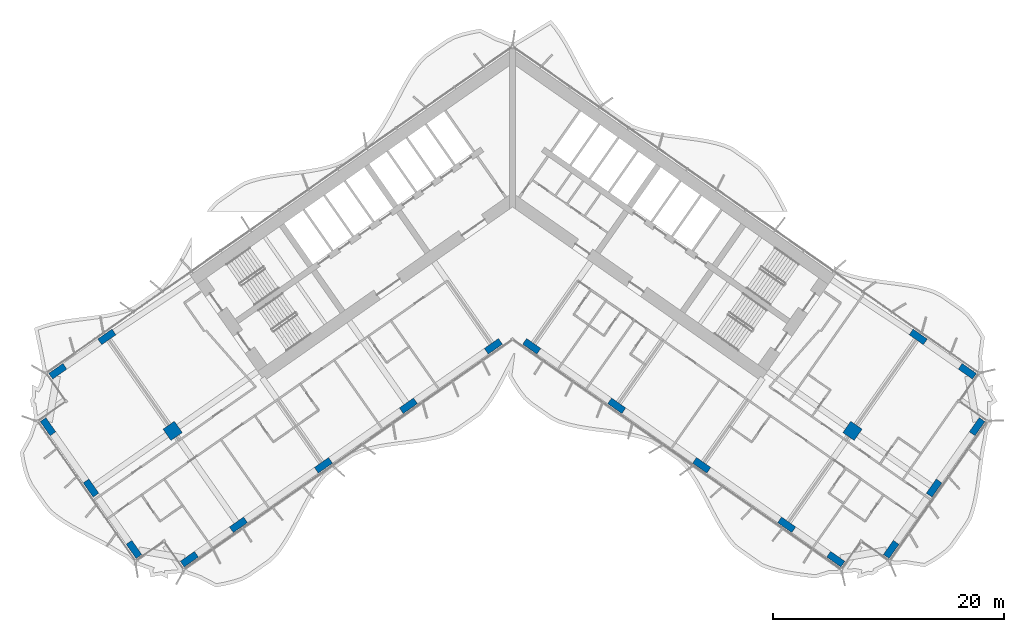
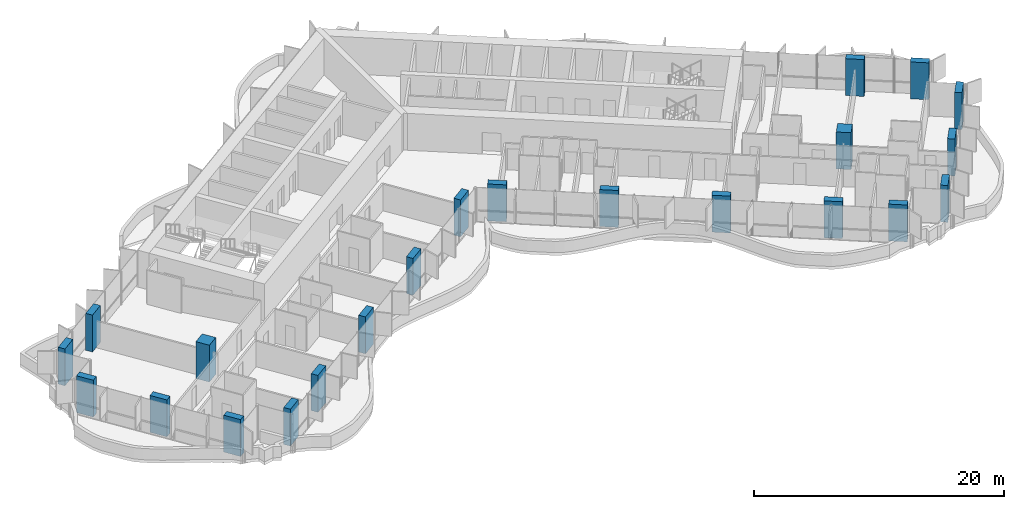
# One storey, part 1 of 23: 22 columns.
"""IFC4 building model written with IfcOpenShell, lengths in metres."""

from ifc_helpers import new_model, si_unit, direction, frame, origin, origin_2d, place, context, subcontext, project, spatial, rectangle, extrude, material, material_profile, profile_set, type_object, element, save


model = new_model("IFC4")

# Units and contexts
model_context = context("Model", 3, precision=1e-05, world=origin(), true_north=direction((0.0, 1.0)))
body_context = subcontext(model_context, "Body", "Model", "MODEL_VIEW")
ifc_project = project(units=[si_unit("LENGTHUNIT", "METRE"), si_unit("AREAUNIT", "SQUARE_METRE"), si_unit("VOLUMEUNIT", "CUBIC_METRE"), si_unit("PLANEANGLEUNIT", "RADIAN"), si_unit("MASSUNIT", "GRAM", prefix="KILO")], contexts=[model_context])

# Site, building, storey
site_placement = place(None, origin())
site = spatial("IfcSite", under=ifc_project, at=site_placement, CompositionType="ELEMENT")
building_placement = place(site_placement, origin())
building = spatial("IfcBuilding", under=site, at=building_placement, Name="Tel Ilan Convention Tower", CompositionType="ELEMENT")
storey_placement = place(building_placement, frame((0.0, 0.0, 112.10009765625)))
storey = spatial("IfcBuildingStorey", under=building, at=storey_placement, Name="L24", CompositionType="ELEMENT", Elevation=112.10009765625)

# Columns
ifc_material_1 = material(Name="Concrete C60/75", Category="concrete")
ifc_material_profile_1 = material_profile(ifc_material_1, rectangle(XDim=1.199951171875, YDim=1.199951171875, at=origin_2d()), Name="RC 1200x1200")
ifc_profile_set_1 = profile_set([ifc_material_profile_1], Name="Concrete C60/75")
column_type_1 = type_object("IfcColumnType", Name="Column RC 1200x1200 C60/75", PredefinedType="COLUMN", material=ifc_profile_set_1)
for number, where, z_axis, x_axis, name in (
    (1, (-29.489501953125, -20.648681640625, 0.0), (0.0, 0.0, 1.0), (-0.819152044289, -0.573576436351, 0.0), "L24 column W-M4"),
    (2, (29.489501953125, -20.648681640625, 0.0), (0.0, 0.0, 1.0), (0.819152044289, -0.573576436351, 0.0), "L24 column E-M4"),
):
    element("IfcColumn", number, at=place(storey_placement, frame(where, z_axis=z_axis, x_axis=x_axis)), inside=storey, type_object=column_type_1, Name=name, PredefinedType="COLUMN", context=body_context, shape_type="SweptSolid", body=[
        extrude(rectangle(XDim=1.199951171875, YDim=1.199951171875, at=origin_2d()), origin(), (0.0, 0.0, 1.0), 3.599853515625),
    ])
ifc_material_2 = material(Name="Concrete C60/75", Category="concrete")
ifc_material_profile_2 = material_profile(ifc_material_2, rectangle(XDim=1.5, YDim=0.60009765625, at=origin_2d()), Name="RC 600x1500")
ifc_profile_set_2 = profile_set([ifc_material_profile_2], Name="Concrete C60/75")
column_type_2 = type_object("IfcColumnType", Name="Column RC 600x1500 C60/75", PredefinedType="COLUMN", material=ifc_profile_set_2)
for number, where, z_axis, x_axis, name in (
    (3, (-1.665283203125, -13.312744140625, 0.0), (0.0, 0.0, 1.0), (-0.819152044289, -0.573576436351, 0.0), "L24 column W-F1"),
    (4, (-9.03759765625, -18.474853515625, 0.0), (0.0, 0.0, 1.0), (-0.819152044289, -0.573576436351, 0.0), "L24 column W-F2"),
    (5, (-16.409912109375, -23.63720703125, 0.0), (0.0, 0.0, 1.0), (-0.819152044289, -0.573576436351, 0.0), "L24 column W-F3"),
    (6, (-23.782470703125, -28.79931640625, 0.0), (0.0, 0.0, 1.0), (-0.819152044289, -0.573576436351, 0.0), "L24 column W-F4"),
    (7, (-28.0419921875, -31.781982421875, 0.0), (0.0, 0.0, 1.0), (-0.819152044289, -0.573576436351, 0.0), "L24 column W-FC"),
    (8, (-35.196533203125, -12.498291015625, 0.0), (0.0, 0.0, 1.0), (-0.819152044289, -0.573576436351, 0.0), "L24 column W-B4"),
    (9, (-39.4560546875, -15.480712890625, 0.0), (0.0, 0.0, 1.0), (-0.819152044289, -0.573576436351, 0.0), "L24 column W-BC"),
    (10, (-32.846923828125, -30.934814453125, 0.0), (0.0, 0.0, 1.0), (-0.573576436351, 0.819152044289, 0.0), "L24 column W-E1"),
    (11, (-36.5751953125, -25.610107421875, 0.0), (0.0, 0.0, 1.0), (-0.573576436351, 0.819152044289, 0.0), "L24 column W-E2"),
    (12, (-40.303466796875, -20.28564453125, 0.0), (0.0, 0.0, 1.0), (-0.573576436351, 0.819152044289, 0.0), "L24 column W-E3"),
    (13, (1.665283203125, -13.312744140625, 0.0), (0.0, 0.0, 1.0), (0.819152044289, -0.573576436351, 0.0), "L24 column E-F1"),
    (14, (9.03759765625, -18.474853515625, 0.0), (0.0, 0.0, 1.0), (0.819152044289, -0.573576436351, 0.0), "L24 column E-F2"),
    (15, (16.409912109375, -23.63720703125, 0.0), (0.0, 0.0, 1.0), (0.819152044289, -0.573576436351, 0.0), "L24 column E-F3"),
    (16, (23.782470703125, -28.79931640625, 0.0), (0.0, 0.0, 1.0), (0.819152044289, -0.573576436351, 0.0), "L24 column E-F4"),
    (17, (28.0419921875, -31.781982421875, 0.0), (0.0, 0.0, 1.0), (0.819152044289, -0.573576436351, 0.0), "L24 column E-FC"),
    (18, (35.196533203125, -12.498291015625, 0.0), (0.0, 0.0, 1.0), (0.819152044289, -0.573576436351, 0.0), "L24 column E-B4"),
    (19, (39.4560546875, -15.480712890625, 0.0), (0.0, 0.0, 1.0), (0.819152044289, -0.573576436351, 0.0), "L24 column E-BC"),
    (20, (32.846923828125, -30.934814453125, 0.0), (0.0, 0.0, 1.0), (0.573576436351, 0.819152044289, 0.0), "L24 column E-E1"),
    (21, (36.5751953125, -25.610107421875, 0.0), (0.0, 0.0, 1.0), (0.573576436351, 0.819152044289, 0.0), "L24 column E-E2"),
    (22, (40.303466796875, -20.28564453125, 0.0), (0.0, 0.0, 1.0), (0.573576436351, 0.819152044289, 0.0), "L24 column E-E3"),
):
    element("IfcColumn", number, at=place(storey_placement, frame(where, z_axis=z_axis, x_axis=x_axis)), inside=storey, type_object=column_type_2, Name=name, PredefinedType="COLUMN", context=body_context, shape_type="SweptSolid", body=[
        extrude(rectangle(XDim=1.5, YDim=0.60009765625, at=origin_2d()), origin(), (0.0, 0.0, 1.0), 3.599853515625),
    ])

save(model, "model.ifc")
